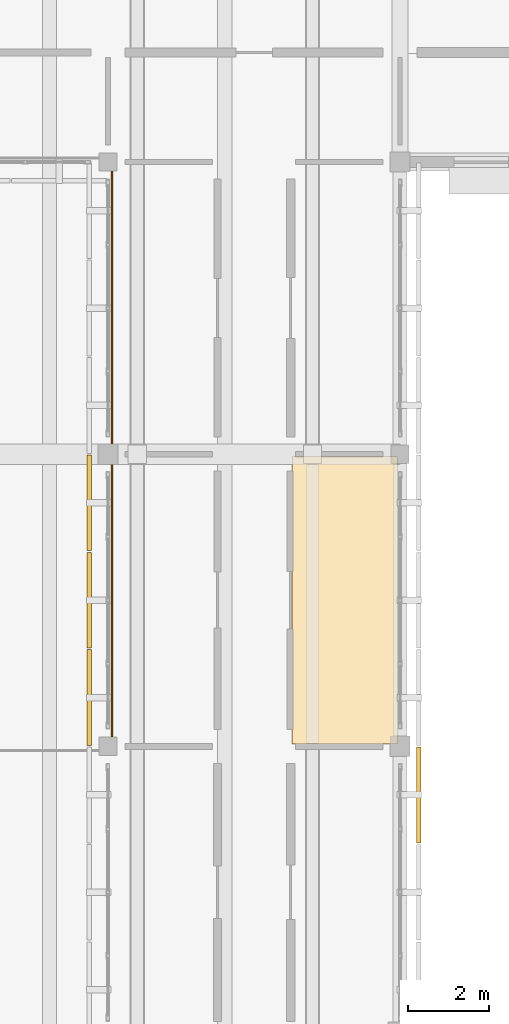
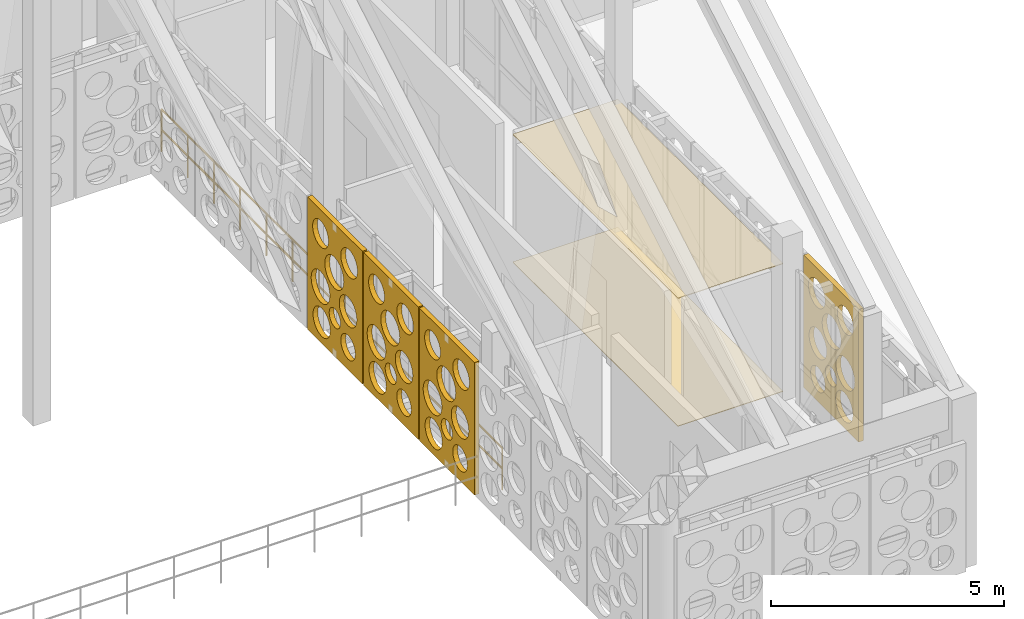
# One storey, part 161 of 171: 6 coverings, 1 railing.
"""IFC4 building model written with IfcOpenShell, lengths in metres."""

from ifc_helpers import new_model, si_unit, direction, frame, origin, origin_2d, place, context, subcontext, project, spatial, polyline, circle, outline, extrude, material, layer, layer_set, type_object, element, save


model = new_model("IFC4")

# Units and contexts
model_context = context("Model", 3, precision=1e-05, world=origin(), true_north=direction((0.0, 1.0)))
body_context = subcontext(model_context, "Body", "Model", "MODEL_VIEW")
ifc_project = project(units=[si_unit("LENGTHUNIT", "METRE"), si_unit("AREAUNIT", "SQUARE_METRE"), si_unit("VOLUMEUNIT", "CUBIC_METRE"), si_unit("PLANEANGLEUNIT", "RADIAN"), si_unit("MASSUNIT", "GRAM", prefix="KILO")], contexts=[model_context])

# Site, building, storey
site_placement = place(None, origin())
site = spatial("IfcSite", under=ifc_project, at=site_placement, CompositionType="ELEMENT")
building_placement = place(site_placement, origin())
building = spatial("IfcBuilding", under=site, at=building_placement, Name="Aldebral Square Health Centre", CompositionType="ELEMENT")
storey_placement = place(building_placement, frame((0.0, 0.0, 4.5)))
storey = spatial("IfcBuildingStorey", under=building, at=storey_placement, Name="L01", CompositionType="ELEMENT", Elevation=4.5)

# Coverings
ifc_material_1 = material(Name="Hygienic acoustic mineral ceiling tile")
ifc_layer_1 = layer(ifc_material_1, 0.02001953125, Name="Hygienic acoustic mineral ceiling tile")
ifc_layer_set_1 = layer_set([ifc_layer_1], Name="Hygienic acoustic mineral ceiling tile")
covering_type_1 = type_object("IfcCoveringType", Name="COV-CLG-AC", PredefinedType="CEILING", material=ifc_layer_set_1)
covering_1_placement = place(storey_placement, frame((0.0, 0.0, 3.340087890625)))
element("IfcCovering", 1, at=covering_1_placement, inside=storey, type_object=covering_type_1, Name="L01 Patient Information Desk 15.12E acoustic ceiling", PredefinedType="CEILING", context=body_context, shape_type="SweptSolid", body=[
    extrude(outline(polyline([(105.340087890625, 79.260009765625), (107.93994140625, 79.260009765625), (107.93994140625, 86.340087890625), (105.340087890625, 86.340087890625), (105.340087890625, 79.260009765625)])), origin(), (0.0, 0.0, 1.0), 0.02001953125),
])
ifc_material_2 = material(Name="Antimicrobial clinical vinyl flooring")
ifc_layer_2 = layer(ifc_material_2, 0.014892578125, Name="Antimicrobial clinical vinyl flooring")
ifc_layer_set_2 = layer_set([ifc_layer_2], Name="Antimicrobial clinical vinyl flooring")
covering_type_2 = type_object("IfcCoveringType", Name="COV-FLR-VN", PredefinedType="FLOORING", material=ifc_layer_set_2)
covering_2_placement = place(storey_placement, origin())
element("IfcCovering", 2, at=covering_2_placement, inside=storey, type_object=covering_type_2, Name="L01 Patient Information Desk 15.12E clinical flooring", PredefinedType="FLOORING", context=body_context, shape_type="SweptSolid", body=[
    extrude(outline(polyline([(105.340087890625, 79.260009765625), (107.93994140625, 79.260009765625), (107.93994140625, 86.340087890625), (105.340087890625, 86.340087890625), (105.340087890625, 79.260009765625)])), origin(), (0.0, 0.0, 1.0), 0.014892578125),
])
ifc_material_3 = material(Name="Cream cantera perforated stone screen", Category="masonry")
ifc_layer_3 = layer(ifc_material_3, 0.1201171875, Name="Cream cantera perforated stone screen", Category="masonry")
ifc_layer_set_3 = layer_set([ifc_layer_3], Name="Cream cantera perforated stone screen")
covering_type_3 = type_object("IfcCoveringType", Name="COV-SCR-120", PredefinedType="CLADDING", material=ifc_layer_set_3)
covering_3_placement = place(storey_placement, frame((108.4599609375, 76.820068359375, 0.0), z_axis=(0.0, 0.0, 1.0), x_axis=(0.0, 1.0, 0.0)))
element("IfcCovering", 3, at=covering_3_placement, inside=storey, type_object=covering_type_3, Name="L01 V1 circular-aperture stone screen L01-V1-14-10-E.3", PredefinedType="CLADDING", context=body_context, shape_type="SweptSolid", body=[
    extrude(outline(polyline([(0.0, 0.0), (2.35986328125, 0.0), (2.35986328125, 3.469970703125), (0.0, 3.469970703125), (0.0, 0.0)]), holes=[polyline([(0.98486328125, 0.55517578125), (0.966552734375, 0.4404296875), (0.913818359375, 0.3369140625), (0.831787109375, 0.2548828125), (0.728271484375, 0.2021484375), (0.613525390625, 0.18408203125), (0.498779296875, 0.2021484375), (0.3955078125, 0.2548828125), (0.313232421875, 0.3369140625), (0.260498046875, 0.4404296875), (0.242431640625, 0.55517578125), (0.260498046875, 0.669921875), (0.313232421875, 0.7734375), (0.3955078125, 0.85546875), (0.498779296875, 0.908203125), (0.613525390625, 0.926513671875), (0.728271484375, 0.908203125), (0.831787109375, 0.85546875), (0.913818359375, 0.7734375), (0.966552734375, 0.669921875), (0.98486328125, 0.55517578125)]), polyline([(2.059326171875, 0.58984375), (2.0439453125, 0.4931640625), (1.99951171875, 0.406005859375), (1.930419921875, 0.336669921875), (1.843017578125, 0.292236328125), (1.746337890625, 0.277099609375), (1.649658203125, 0.292236328125), (1.5625, 0.336669921875), (1.4931640625, 0.406005859375), (1.44873046875, 0.4931640625), (1.43359375, 0.58984375), (1.44873046875, 0.6865234375), (1.4931640625, 0.77392578125), (1.5625, 0.843017578125), (1.649658203125, 0.887451171875), (1.746337890625, 0.90283203125), (1.843017578125, 0.887451171875), (1.930419921875, 0.843017578125), (1.99951171875, 0.77392578125), (2.0439453125, 0.6865234375), (2.059326171875, 0.58984375)]), polyline([(0.970703125, 1.45751953125), (0.950927734375, 1.33251953125), (0.8935546875, 1.2197265625), (0.803955078125, 1.13037109375), (0.69140625, 1.072998046875), (0.56640625, 1.052978515625), (0.44140625, 1.072998046875), (0.328857421875, 1.13037109375), (0.2392578125, 1.2197265625), (0.181884765625, 1.33251953125), (0.162109375, 1.45751953125), (0.181884765625, 1.582275390625), (0.2392578125, 1.695068359375), (0.328857421875, 1.784423828125), (0.44140625, 1.841796875), (0.56640625, 1.86181640625), (0.69140625, 1.841796875), (0.803955078125, 1.784423828125), (0.8935546875, 1.695068359375), (0.950927734375, 1.582275390625), (0.970703125, 1.45751953125)]), polyline([(2.124267578125, 1.52685546875), (2.105712890625, 1.41015625), (2.052001953125, 1.3046875), (1.968505859375, 1.22119140625), (1.863037109375, 1.16748046875), (1.746337890625, 1.14892578125), (1.629638671875, 1.16748046875), (1.5244140625, 1.22119140625), (1.440673828125, 1.3046875), (1.38720703125, 1.41015625), (1.36865234375, 1.52685546875), (1.38720703125, 1.6435546875), (1.440673828125, 1.748779296875), (1.5244140625, 1.83251953125), (1.629638671875, 1.88623046875), (1.746337890625, 1.904541015625), (1.863037109375, 1.88623046875), (1.968505859375, 1.83251953125), (2.052001953125, 1.748779296875), (2.105712890625, 1.6435546875), (2.124267578125, 1.52685546875)]), polyline([(1.42431640625, 1.00634765625), (1.412353515625, 0.9306640625), (1.377685546875, 0.862548828125), (1.32373046875, 0.80859375), (1.255615234375, 0.77392578125), (1.179931640625, 0.761962890625), (1.1044921875, 0.77392578125), (1.036376953125, 0.80859375), (0.982177734375, 0.862548828125), (0.947509765625, 0.9306640625), (0.935546875, 1.00634765625), (0.947509765625, 1.081787109375), (0.982177734375, 1.14990234375), (1.036376953125, 1.2041015625), (1.1044921875, 1.23876953125), (1.179931640625, 1.250732421875), (1.255615234375, 1.23876953125), (1.32373046875, 1.2041015625), (1.377685546875, 1.14990234375), (1.412353515625, 1.081787109375), (1.42431640625, 1.00634765625)]), polyline([(1.563232421875, 2.18603515625), (1.54345703125, 2.060302734375), (1.485595703125, 1.947021484375), (1.3955078125, 1.85693359375), (1.2822265625, 1.799072265625), (1.156494140625, 1.779296875), (1.03076171875, 1.799072265625), (0.917236328125, 1.85693359375), (0.8271484375, 1.947021484375), (0.76953125, 2.060302734375), (0.74951171875, 2.18603515625), (0.76953125, 2.311767578125), (0.8271484375, 2.42529296875), (0.917236328125, 2.515380859375), (1.03076171875, 2.572998046875), (1.156494140625, 2.593017578125), (1.2822265625, 2.572998046875), (1.3955078125, 2.515380859375), (1.485595703125, 2.42529296875), (1.54345703125, 2.311767578125), (1.563232421875, 2.18603515625)]), polyline([(0.9091796875, 2.845458984375), (0.892333984375, 2.739501953125), (0.84375, 2.64404296875), (0.767822265625, 2.568115234375), (0.67236328125, 2.51953125), (0.56640625, 2.502685546875), (0.46044921875, 2.51953125), (0.364990234375, 2.568115234375), (0.2890625, 2.64404296875), (0.240478515625, 2.739501953125), (0.2236328125, 2.845458984375), (0.240478515625, 2.951416015625), (0.2890625, 3.046875), (0.364990234375, 3.12255859375), (0.46044921875, 3.17138671875), (0.56640625, 3.18798828125), (0.67236328125, 3.17138671875), (0.767822265625, 3.12255859375), (0.84375, 3.046875), (0.892333984375, 2.951416015625), (0.9091796875, 2.845458984375)]), polyline([(2.1513671875, 2.810791015625), (2.1337890625, 2.7001953125), (2.0830078125, 2.600341796875), (2.00390625, 2.521240234375), (1.904052734375, 2.470458984375), (1.793701171875, 2.452880859375), (1.68310546875, 2.470458984375), (1.583251953125, 2.521240234375), (1.504150390625, 2.600341796875), (1.453369140625, 2.7001953125), (1.435791015625, 2.810791015625), (1.453369140625, 2.921142578125), (1.504150390625, 3.02099609375), (1.583251953125, 3.10009765625), (1.68310546875, 3.15087890625), (1.793701171875, 3.16845703125), (1.904052734375, 3.15087890625), (2.00390625, 3.10009765625), (2.0830078125, 3.02099609375), (2.1337890625, 2.921142578125), (2.1513671875, 2.810791015625)])]), frame((0.0, 0.06005859375, 0.0), z_axis=(0.0, -1.0, 0.0), x_axis=(1.0, 0.0, 0.0)), (0.0, 0.0, 1.0), 0.1201171875),
])
covering_4_placement = place(storey_placement, frame((100.340087890625, 86.3798828125, 0.0), z_axis=(0.0, 0.0, 1.0), x_axis=(0.0, -1.0, 0.0)))
element("IfcCovering", 4, at=covering_4_placement, inside=storey, type_object=covering_type_3, Name="L01 V1 circular-aperture stone screen L01-V1-14-11-W.1", PredefinedType="CLADDING", context=body_context, shape_type="SweptSolid", body=[
    extrude(outline(polyline([(0.0, 0.0), (2.35986328125, 0.0), (2.35986328125, 3.469970703125), (0.0, 3.469970703125), (0.0, 0.0)]), holes=[polyline([(0.98486328125, 0.55517578125), (0.966552734375, 0.4404296875), (0.913818359375, 0.3369140625), (0.831787109375, 0.2548828125), (0.728271484375, 0.2021484375), (0.613525390625, 0.18408203125), (0.498779296875, 0.2021484375), (0.3955078125, 0.2548828125), (0.313232421875, 0.3369140625), (0.260498046875, 0.4404296875), (0.242431640625, 0.55517578125), (0.260498046875, 0.669921875), (0.313232421875, 0.7734375), (0.3955078125, 0.85546875), (0.498779296875, 0.908203125), (0.613525390625, 0.926513671875), (0.728271484375, 0.908203125), (0.831787109375, 0.85546875), (0.913818359375, 0.7734375), (0.966552734375, 0.669921875), (0.98486328125, 0.55517578125)]), polyline([(2.059326171875, 0.58984375), (2.0439453125, 0.4931640625), (1.99951171875, 0.406005859375), (1.930419921875, 0.336669921875), (1.843017578125, 0.292236328125), (1.746337890625, 0.277099609375), (1.649658203125, 0.292236328125), (1.5625, 0.336669921875), (1.4931640625, 0.406005859375), (1.44873046875, 0.4931640625), (1.43359375, 0.58984375), (1.44873046875, 0.6865234375), (1.4931640625, 0.77392578125), (1.5625, 0.843017578125), (1.649658203125, 0.887451171875), (1.746337890625, 0.90283203125), (1.843017578125, 0.887451171875), (1.930419921875, 0.843017578125), (1.99951171875, 0.77392578125), (2.0439453125, 0.6865234375), (2.059326171875, 0.58984375)]), polyline([(0.970703125, 1.45751953125), (0.950927734375, 1.33251953125), (0.8935546875, 1.2197265625), (0.803955078125, 1.13037109375), (0.69140625, 1.072998046875), (0.56640625, 1.052978515625), (0.44140625, 1.072998046875), (0.328857421875, 1.13037109375), (0.2392578125, 1.2197265625), (0.181884765625, 1.33251953125), (0.162109375, 1.45751953125), (0.181884765625, 1.582275390625), (0.2392578125, 1.695068359375), (0.328857421875, 1.784423828125), (0.44140625, 1.841796875), (0.56640625, 1.86181640625), (0.69140625, 1.841796875), (0.803955078125, 1.784423828125), (0.8935546875, 1.695068359375), (0.950927734375, 1.582275390625), (0.970703125, 1.45751953125)]), polyline([(2.124267578125, 1.52685546875), (2.105712890625, 1.41015625), (2.052001953125, 1.3046875), (1.968505859375, 1.22119140625), (1.863037109375, 1.16748046875), (1.746337890625, 1.14892578125), (1.629638671875, 1.16748046875), (1.5244140625, 1.22119140625), (1.440673828125, 1.3046875), (1.38720703125, 1.41015625), (1.36865234375, 1.52685546875), (1.38720703125, 1.6435546875), (1.440673828125, 1.748779296875), (1.5244140625, 1.83251953125), (1.629638671875, 1.88623046875), (1.746337890625, 1.904541015625), (1.863037109375, 1.88623046875), (1.968505859375, 1.83251953125), (2.052001953125, 1.748779296875), (2.105712890625, 1.6435546875), (2.124267578125, 1.52685546875)]), polyline([(1.42431640625, 1.00634765625), (1.412353515625, 0.9306640625), (1.377685546875, 0.862548828125), (1.32373046875, 0.80859375), (1.255615234375, 0.77392578125), (1.179931640625, 0.761962890625), (1.1044921875, 0.77392578125), (1.036376953125, 0.80859375), (0.982177734375, 0.862548828125), (0.947509765625, 0.9306640625), (0.935546875, 1.00634765625), (0.947509765625, 1.081787109375), (0.982177734375, 1.14990234375), (1.036376953125, 1.2041015625), (1.1044921875, 1.23876953125), (1.179931640625, 1.250732421875), (1.255615234375, 1.23876953125), (1.32373046875, 1.2041015625), (1.377685546875, 1.14990234375), (1.412353515625, 1.081787109375), (1.42431640625, 1.00634765625)]), polyline([(1.563232421875, 2.18603515625), (1.54345703125, 2.060302734375), (1.485595703125, 1.947021484375), (1.3955078125, 1.85693359375), (1.2822265625, 1.799072265625), (1.156494140625, 1.779296875), (1.03076171875, 1.799072265625), (0.917236328125, 1.85693359375), (0.8271484375, 1.947021484375), (0.76953125, 2.060302734375), (0.74951171875, 2.18603515625), (0.76953125, 2.311767578125), (0.8271484375, 2.42529296875), (0.917236328125, 2.515380859375), (1.03076171875, 2.572998046875), (1.156494140625, 2.593017578125), (1.2822265625, 2.572998046875), (1.3955078125, 2.515380859375), (1.485595703125, 2.42529296875), (1.54345703125, 2.311767578125), (1.563232421875, 2.18603515625)]), polyline([(0.9091796875, 2.845458984375), (0.892333984375, 2.739501953125), (0.84375, 2.64404296875), (0.767822265625, 2.568115234375), (0.67236328125, 2.51953125), (0.56640625, 2.502685546875), (0.46044921875, 2.51953125), (0.364990234375, 2.568115234375), (0.2890625, 2.64404296875), (0.240478515625, 2.739501953125), (0.2236328125, 2.845458984375), (0.240478515625, 2.951416015625), (0.2890625, 3.046875), (0.364990234375, 3.12255859375), (0.46044921875, 3.17138671875), (0.56640625, 3.18798828125), (0.67236328125, 3.17138671875), (0.767822265625, 3.12255859375), (0.84375, 3.046875), (0.892333984375, 2.951416015625), (0.9091796875, 2.845458984375)]), polyline([(2.1513671875, 2.810791015625), (2.1337890625, 2.7001953125), (2.0830078125, 2.600341796875), (2.00390625, 2.521240234375), (1.904052734375, 2.470458984375), (1.793701171875, 2.452880859375), (1.68310546875, 2.470458984375), (1.583251953125, 2.521240234375), (1.504150390625, 2.600341796875), (1.453369140625, 2.7001953125), (1.435791015625, 2.810791015625), (1.453369140625, 2.921142578125), (1.504150390625, 3.02099609375), (1.583251953125, 3.10009765625), (1.68310546875, 3.15087890625), (1.793701171875, 3.16845703125), (1.904052734375, 3.15087890625), (2.00390625, 3.10009765625), (2.0830078125, 3.02099609375), (2.1337890625, 2.921142578125), (2.1513671875, 2.810791015625)])]), frame((0.0, 0.06005859375, 0.0), z_axis=(0.0, -1.0, 0.0), x_axis=(1.0, 0.0, 0.0)), (0.0, 0.0, 1.0), 0.1201171875),
])
covering_5_placement = place(storey_placement, frame((100.340087890625, 83.97998046875, 0.0), z_axis=(0.0, 0.0, 1.0), x_axis=(0.0, -1.0, 0.0)))
element("IfcCovering", 5, at=covering_5_placement, inside=storey, type_object=covering_type_3, Name="L01 V1 circular-aperture stone screen L01-V1-14-11-W.2", PredefinedType="CLADDING", context=body_context, shape_type="SweptSolid", body=[
    extrude(outline(polyline([(0.0, 0.0), (2.35986328125, 0.0), (2.35986328125, 3.469970703125), (0.0, 3.469970703125), (0.0, 0.0)]), holes=[polyline([(0.98486328125, 0.55517578125), (0.966552734375, 0.4404296875), (0.913818359375, 0.3369140625), (0.831787109375, 0.2548828125), (0.728271484375, 0.2021484375), (0.613525390625, 0.18408203125), (0.498779296875, 0.2021484375), (0.3955078125, 0.2548828125), (0.313232421875, 0.3369140625), (0.260498046875, 0.4404296875), (0.242431640625, 0.55517578125), (0.260498046875, 0.669921875), (0.313232421875, 0.7734375), (0.3955078125, 0.85546875), (0.498779296875, 0.908203125), (0.613525390625, 0.926513671875), (0.728271484375, 0.908203125), (0.831787109375, 0.85546875), (0.913818359375, 0.7734375), (0.966552734375, 0.669921875), (0.98486328125, 0.55517578125)]), polyline([(2.059326171875, 0.58984375), (2.0439453125, 0.4931640625), (1.99951171875, 0.406005859375), (1.930419921875, 0.336669921875), (1.843017578125, 0.292236328125), (1.746337890625, 0.277099609375), (1.649658203125, 0.292236328125), (1.5625, 0.336669921875), (1.4931640625, 0.406005859375), (1.44873046875, 0.4931640625), (1.43359375, 0.58984375), (1.44873046875, 0.6865234375), (1.4931640625, 0.77392578125), (1.5625, 0.843017578125), (1.649658203125, 0.887451171875), (1.746337890625, 0.90283203125), (1.843017578125, 0.887451171875), (1.930419921875, 0.843017578125), (1.99951171875, 0.77392578125), (2.0439453125, 0.6865234375), (2.059326171875, 0.58984375)]), polyline([(0.970703125, 1.45751953125), (0.950927734375, 1.33251953125), (0.8935546875, 1.2197265625), (0.803955078125, 1.13037109375), (0.69140625, 1.072998046875), (0.56640625, 1.052978515625), (0.44140625, 1.072998046875), (0.328857421875, 1.13037109375), (0.2392578125, 1.2197265625), (0.181884765625, 1.33251953125), (0.162109375, 1.45751953125), (0.181884765625, 1.582275390625), (0.2392578125, 1.695068359375), (0.328857421875, 1.784423828125), (0.44140625, 1.841796875), (0.56640625, 1.86181640625), (0.69140625, 1.841796875), (0.803955078125, 1.784423828125), (0.8935546875, 1.695068359375), (0.950927734375, 1.582275390625), (0.970703125, 1.45751953125)]), polyline([(2.124267578125, 1.52685546875), (2.105712890625, 1.41015625), (2.052001953125, 1.3046875), (1.968505859375, 1.22119140625), (1.863037109375, 1.16748046875), (1.746337890625, 1.14892578125), (1.629638671875, 1.16748046875), (1.5244140625, 1.22119140625), (1.440673828125, 1.3046875), (1.38720703125, 1.41015625), (1.36865234375, 1.52685546875), (1.38720703125, 1.6435546875), (1.440673828125, 1.748779296875), (1.5244140625, 1.83251953125), (1.629638671875, 1.88623046875), (1.746337890625, 1.904541015625), (1.863037109375, 1.88623046875), (1.968505859375, 1.83251953125), (2.052001953125, 1.748779296875), (2.105712890625, 1.6435546875), (2.124267578125, 1.52685546875)]), polyline([(1.42431640625, 1.00634765625), (1.412353515625, 0.9306640625), (1.377685546875, 0.862548828125), (1.32373046875, 0.80859375), (1.255615234375, 0.77392578125), (1.179931640625, 0.761962890625), (1.1044921875, 0.77392578125), (1.036376953125, 0.80859375), (0.982177734375, 0.862548828125), (0.947509765625, 0.9306640625), (0.935546875, 1.00634765625), (0.947509765625, 1.081787109375), (0.982177734375, 1.14990234375), (1.036376953125, 1.2041015625), (1.1044921875, 1.23876953125), (1.179931640625, 1.250732421875), (1.255615234375, 1.23876953125), (1.32373046875, 1.2041015625), (1.377685546875, 1.14990234375), (1.412353515625, 1.081787109375), (1.42431640625, 1.00634765625)]), polyline([(1.563232421875, 2.18603515625), (1.54345703125, 2.060302734375), (1.485595703125, 1.947021484375), (1.3955078125, 1.85693359375), (1.2822265625, 1.799072265625), (1.156494140625, 1.779296875), (1.03076171875, 1.799072265625), (0.917236328125, 1.85693359375), (0.8271484375, 1.947021484375), (0.76953125, 2.060302734375), (0.74951171875, 2.18603515625), (0.76953125, 2.311767578125), (0.8271484375, 2.42529296875), (0.917236328125, 2.515380859375), (1.03076171875, 2.572998046875), (1.156494140625, 2.593017578125), (1.2822265625, 2.572998046875), (1.3955078125, 2.515380859375), (1.485595703125, 2.42529296875), (1.54345703125, 2.311767578125), (1.563232421875, 2.18603515625)]), polyline([(0.9091796875, 2.845458984375), (0.892333984375, 2.739501953125), (0.84375, 2.64404296875), (0.767822265625, 2.568115234375), (0.67236328125, 2.51953125), (0.56640625, 2.502685546875), (0.46044921875, 2.51953125), (0.364990234375, 2.568115234375), (0.2890625, 2.64404296875), (0.240478515625, 2.739501953125), (0.2236328125, 2.845458984375), (0.240478515625, 2.951416015625), (0.2890625, 3.046875), (0.364990234375, 3.12255859375), (0.46044921875, 3.17138671875), (0.56640625, 3.18798828125), (0.67236328125, 3.17138671875), (0.767822265625, 3.12255859375), (0.84375, 3.046875), (0.892333984375, 2.951416015625), (0.9091796875, 2.845458984375)]), polyline([(2.1513671875, 2.810791015625), (2.1337890625, 2.7001953125), (2.0830078125, 2.600341796875), (2.00390625, 2.521240234375), (1.904052734375, 2.470458984375), (1.793701171875, 2.452880859375), (1.68310546875, 2.470458984375), (1.583251953125, 2.521240234375), (1.504150390625, 2.600341796875), (1.453369140625, 2.7001953125), (1.435791015625, 2.810791015625), (1.453369140625, 2.921142578125), (1.504150390625, 3.02099609375), (1.583251953125, 3.10009765625), (1.68310546875, 3.15087890625), (1.793701171875, 3.16845703125), (1.904052734375, 3.15087890625), (2.00390625, 3.10009765625), (2.0830078125, 3.02099609375), (2.1337890625, 2.921142578125), (2.1513671875, 2.810791015625)])]), frame((0.0, 0.06005859375, 0.0), z_axis=(0.0, -1.0, 0.0), x_axis=(1.0, 0.0, 0.0)), (0.0, 0.0, 1.0), 0.1201171875),
])
covering_6_placement = place(storey_placement, frame((100.340087890625, 81.580078125, 0.0), z_axis=(0.0, 0.0, 1.0), x_axis=(0.0, -1.0, 0.0)))
element("IfcCovering", 6, at=covering_6_placement, inside=storey, type_object=covering_type_3, Name="L01 V1 circular-aperture stone screen L01-V1-14-11-W.3", PredefinedType="CLADDING", context=body_context, shape_type="SweptSolid", body=[
    extrude(outline(polyline([(0.0, 0.0), (2.360107421875, 0.0), (2.360107421875, 3.469970703125), (0.0, 3.469970703125), (0.0, 0.0)]), holes=[polyline([(0.98486328125, 0.55517578125), (0.966552734375, 0.4404296875), (0.913818359375, 0.3369140625), (0.831787109375, 0.2548828125), (0.728271484375, 0.2021484375), (0.613525390625, 0.18408203125), (0.498779296875, 0.2021484375), (0.3955078125, 0.2548828125), (0.313232421875, 0.3369140625), (0.260498046875, 0.4404296875), (0.242431640625, 0.55517578125), (0.260498046875, 0.669921875), (0.313232421875, 0.7734375), (0.3955078125, 0.85546875), (0.498779296875, 0.908203125), (0.613525390625, 0.926513671875), (0.728271484375, 0.908203125), (0.831787109375, 0.85546875), (0.913818359375, 0.7734375), (0.966552734375, 0.669921875), (0.98486328125, 0.55517578125)]), polyline([(2.059326171875, 0.58984375), (2.0439453125, 0.4931640625), (1.99951171875, 0.406005859375), (1.930419921875, 0.336669921875), (1.843017578125, 0.292236328125), (1.746337890625, 0.277099609375), (1.649658203125, 0.292236328125), (1.5625, 0.336669921875), (1.4931640625, 0.406005859375), (1.44873046875, 0.4931640625), (1.43359375, 0.58984375), (1.44873046875, 0.6865234375), (1.4931640625, 0.77392578125), (1.5625, 0.843017578125), (1.649658203125, 0.887451171875), (1.746337890625, 0.90283203125), (1.843017578125, 0.887451171875), (1.930419921875, 0.843017578125), (1.99951171875, 0.77392578125), (2.0439453125, 0.6865234375), (2.059326171875, 0.58984375)]), polyline([(0.970703125, 1.45751953125), (0.950927734375, 1.33251953125), (0.8935546875, 1.2197265625), (0.803955078125, 1.13037109375), (0.69140625, 1.072998046875), (0.56640625, 1.052978515625), (0.44140625, 1.072998046875), (0.328857421875, 1.13037109375), (0.2392578125, 1.2197265625), (0.181884765625, 1.33251953125), (0.162109375, 1.45751953125), (0.181884765625, 1.582275390625), (0.2392578125, 1.695068359375), (0.328857421875, 1.784423828125), (0.44140625, 1.841796875), (0.56640625, 1.86181640625), (0.69140625, 1.841796875), (0.803955078125, 1.784423828125), (0.8935546875, 1.695068359375), (0.950927734375, 1.582275390625), (0.970703125, 1.45751953125)]), polyline([(2.124267578125, 1.52685546875), (2.105712890625, 1.41015625), (2.052001953125, 1.3046875), (1.968505859375, 1.22119140625), (1.863037109375, 1.16748046875), (1.746337890625, 1.14892578125), (1.629638671875, 1.16748046875), (1.5244140625, 1.22119140625), (1.440673828125, 1.3046875), (1.38720703125, 1.41015625), (1.36865234375, 1.52685546875), (1.38720703125, 1.6435546875), (1.440673828125, 1.748779296875), (1.5244140625, 1.83251953125), (1.629638671875, 1.88623046875), (1.746337890625, 1.904541015625), (1.863037109375, 1.88623046875), (1.968505859375, 1.83251953125), (2.052001953125, 1.748779296875), (2.105712890625, 1.6435546875), (2.124267578125, 1.52685546875)]), polyline([(1.42431640625, 1.00634765625), (1.412353515625, 0.9306640625), (1.377685546875, 0.862548828125), (1.32373046875, 0.80859375), (1.255615234375, 0.77392578125), (1.179931640625, 0.761962890625), (1.1044921875, 0.77392578125), (1.036376953125, 0.80859375), (0.982177734375, 0.862548828125), (0.947509765625, 0.9306640625), (0.935546875, 1.00634765625), (0.947509765625, 1.081787109375), (0.982177734375, 1.14990234375), (1.036376953125, 1.2041015625), (1.1044921875, 1.23876953125), (1.179931640625, 1.250732421875), (1.255615234375, 1.23876953125), (1.32373046875, 1.2041015625), (1.377685546875, 1.14990234375), (1.412353515625, 1.081787109375), (1.42431640625, 1.00634765625)]), polyline([(1.563232421875, 2.18603515625), (1.54345703125, 2.060302734375), (1.485595703125, 1.947021484375), (1.3955078125, 1.85693359375), (1.2822265625, 1.799072265625), (1.156494140625, 1.779296875), (1.03076171875, 1.799072265625), (0.917236328125, 1.85693359375), (0.8271484375, 1.947021484375), (0.76953125, 2.060302734375), (0.74951171875, 2.18603515625), (0.76953125, 2.311767578125), (0.8271484375, 2.42529296875), (0.917236328125, 2.515380859375), (1.03076171875, 2.572998046875), (1.156494140625, 2.593017578125), (1.2822265625, 2.572998046875), (1.3955078125, 2.515380859375), (1.485595703125, 2.42529296875), (1.54345703125, 2.311767578125), (1.563232421875, 2.18603515625)]), polyline([(0.9091796875, 2.845458984375), (0.892333984375, 2.739501953125), (0.84375, 2.64404296875), (0.767822265625, 2.568115234375), (0.67236328125, 2.51953125), (0.56640625, 2.502685546875), (0.46044921875, 2.51953125), (0.364990234375, 2.568115234375), (0.2890625, 2.64404296875), (0.240478515625, 2.739501953125), (0.2236328125, 2.845458984375), (0.240478515625, 2.951416015625), (0.2890625, 3.046875), (0.364990234375, 3.12255859375), (0.46044921875, 3.17138671875), (0.56640625, 3.18798828125), (0.67236328125, 3.17138671875), (0.767822265625, 3.12255859375), (0.84375, 3.046875), (0.892333984375, 2.951416015625), (0.9091796875, 2.845458984375)]), polyline([(2.1513671875, 2.810791015625), (2.1337890625, 2.7001953125), (2.0830078125, 2.600341796875), (2.00390625, 2.521240234375), (1.904052734375, 2.470458984375), (1.793701171875, 2.452880859375), (1.68310546875, 2.470458984375), (1.583251953125, 2.521240234375), (1.504150390625, 2.600341796875), (1.453369140625, 2.7001953125), (1.435791015625, 2.810791015625), (1.453369140625, 2.921142578125), (1.504150390625, 3.02099609375), (1.583251953125, 3.10009765625), (1.68310546875, 3.15087890625), (1.793701171875, 3.16845703125), (1.904052734375, 3.15087890625), (2.00390625, 3.10009765625), (2.0830078125, 3.02099609375), (2.1337890625, 2.921142578125), (2.1513671875, 2.810791015625)])]), frame((0.0, 0.06005859375, 0.0), z_axis=(0.0, -1.0, 0.0), x_axis=(1.0, 0.0, 0.0)), (0.0, 0.0, 1.0), 0.1201171875),
])

# Railing
ifc_material_4 = material(Name="Laminated glass and steel atrium guard", Category="steel")
railing_type = type_object("IfcRailingType", Name="RL-AT-BAL", PredefinedType="BALUSTRADE", material=ifc_material_4)
railing_placement = place(storey_placement, frame((100.89990234375, 79.10009765625, 0.0)))
element("IfcRailing", 7, at=railing_placement, inside=storey, type_object=railing_type, Name="Waiting Hall L01 gallery balustrade 2", PredefinedType="BALUSTRADE", context=body_context, shape_type="SweptSolid", body=[
    extrude(circle(Radius=0.02392578125, at=origin_2d()), frame((0.0, 0.0, 1.09619140625), z_axis=(0.0, 1.0, 0.0), x_axis=(-1.0, 0.0, 0.0)), (0.0, 0.0, 1.0), 14.599853515625),
    extrude(circle(Radius=0.02392578125, at=origin_2d()), frame((0.0, 0.0, 0.56005859375), z_axis=(0.0, 1.0, 0.0), x_axis=(-1.0, 0.0, 0.0)), (0.0, 0.0, 1.0), 14.599853515625),
    extrude(circle(Radius=0.02099609375, at=origin_2d()), origin(), (0.0, 0.0, 1.0), 1.072021484375),
    extrude(circle(Radius=0.02099609375, at=origin_2d()), frame((0.0, 1.123046875, 0.0)), (0.0, 0.0, 1.0), 1.072021484375),
    extrude(circle(Radius=0.02099609375, at=origin_2d()), frame((0.0, 2.24609375, 0.0)), (0.0, 0.0, 1.0), 1.072021484375),
    extrude(circle(Radius=0.02099609375, at=origin_2d()), frame((0.0, 3.369140625, 0.0)), (0.0, 0.0, 1.0), 1.072021484375),
    extrude(circle(Radius=0.02099609375, at=origin_2d()), frame((0.0, 4.4921875, 0.0)), (0.0, 0.0, 1.0), 1.072021484375),
    extrude(circle(Radius=0.02099609375, at=origin_2d()), frame((0.0, 5.615234375, 0.0)), (0.0, 0.0, 1.0), 1.072021484375),
    extrude(circle(Radius=0.02099609375, at=origin_2d()), frame((0.0, 6.73828125, 0.0)), (0.0, 0.0, 1.0), 1.072021484375),
    extrude(circle(Radius=0.02099609375, at=origin_2d()), frame((0.0, 7.861572265625, 0.0)), (0.0, 0.0, 1.0), 1.072021484375),
    extrude(circle(Radius=0.02099609375, at=origin_2d()), frame((0.0, 8.984619140625, 0.0)), (0.0, 0.0, 1.0), 1.072021484375),
    extrude(circle(Radius=0.02099609375, at=origin_2d()), frame((0.0, 10.107666015625, 0.0)), (0.0, 0.0, 1.0), 1.072021484375),
    extrude(circle(Radius=0.02099609375, at=origin_2d()), frame((0.0, 11.230712890625, 0.0)), (0.0, 0.0, 1.0), 1.072021484375),
    extrude(circle(Radius=0.02099609375, at=origin_2d()), frame((0.0, 12.353759765625, 0.0)), (0.0, 0.0, 1.0), 1.072021484375),
    extrude(circle(Radius=0.02099609375, at=origin_2d()), frame((0.0, 13.476806640625, 0.0)), (0.0, 0.0, 1.0), 1.072021484375),
    extrude(circle(Radius=0.02099609375, at=origin_2d()), frame((0.0, 14.599853515625, 0.0)), (0.0, 0.0, 1.0), 1.072021484375),
])

save(model, "model.ifc")
